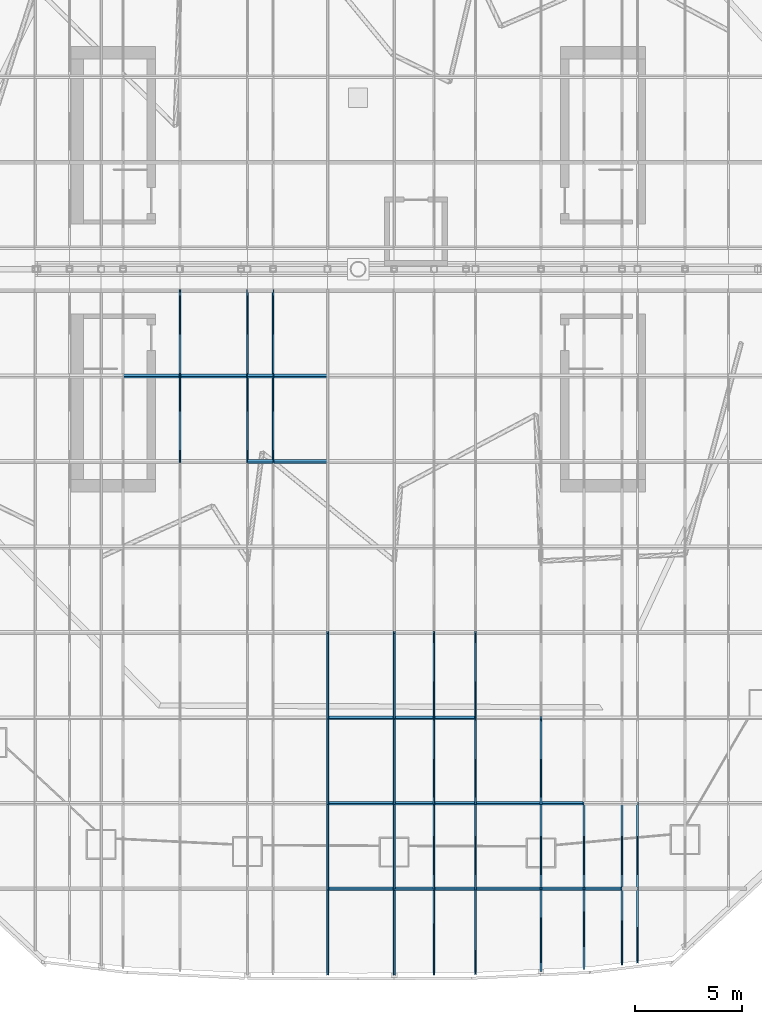
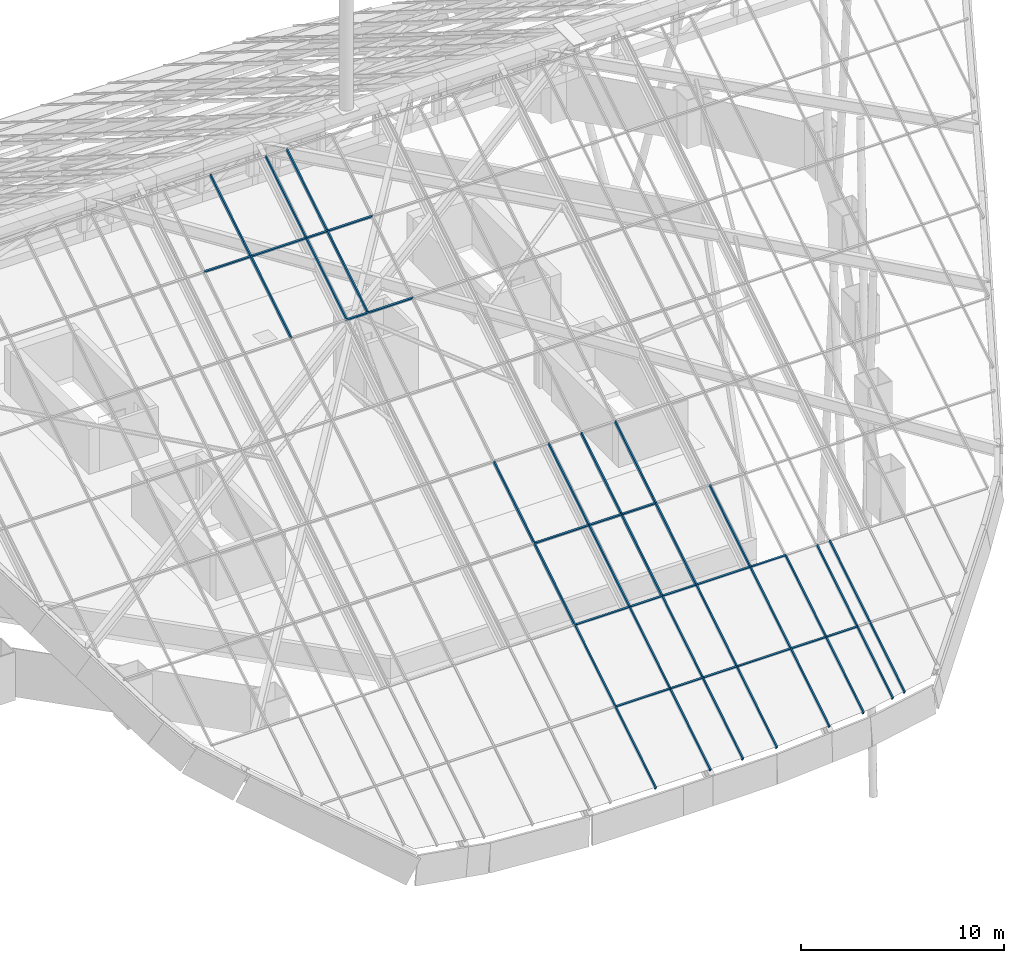
# One storey, part 5 of 38: 51 members, 34 elements without a shape of their own.
"""IFC4 building model written with IfcOpenShell, lengths in metres."""

from ifc_helpers import new_model, si_unit, direction, frame, origin, origin_2d, place, context, subcontext, project, spatial, rectangle, extrude, material, layer, layer_set, material_profile, profile_set, type_object, element, aggregate, save


model = new_model("IFC4")

# Units and contexts
model_context = context("Model", 3, precision=1e-05, world=origin(), true_north=direction((0.0, 1.0)))
body_context = subcontext(model_context, "Body", "Model", "MODEL_VIEW")
ifc_project = project(units=[si_unit("LENGTHUNIT", "METRE"), si_unit("AREAUNIT", "SQUARE_METRE"), si_unit("VOLUMEUNIT", "CUBIC_METRE"), si_unit("PLANEANGLEUNIT", "RADIAN"), si_unit("MASSUNIT", "GRAM", prefix="KILO")], contexts=[model_context])

# Site, building, storey
site_placement = place(None, origin())
site = spatial("IfcSite", under=ifc_project, at=site_placement, CompositionType="ELEMENT")
building_placement = place(site_placement, origin())
building = spatial("IfcBuilding", under=site, at=building_placement, Name="Dongbaek Canopy Tower", CompositionType="ELEMENT")
storey_placement = place(building_placement, frame((0.0, 0.0, 375.800048828125)))
storey = spatial("IfcBuildingStorey", under=building, at=storey_placement, Name="Roof", CompositionType="ELEMENT", Elevation=375.800048828125)

# Curtain wall, member
ifc_material_1 = material(Name="Aluminium 6063-T6 pale anodised", Category="aluminium")
ifc_layer = layer(ifc_material_1, 0.199951171875)
ifc_layer_set = layer_set([ifc_layer], Name="CW-6 canopy glazing curtain wall")
curtain_wall_type = type_object("IfcCurtainWallType", Name="CW-6 canopy glazing curtain wall", PredefinedType="NOTDEFINED", material=ifc_layer_set)
curtain_wall_1_placement = place(storey_placement, origin())
curtain_wall_1 = element("IfcCurtainWall", 1, at=curtain_wall_1_placement, inside=storey, type_object=curtain_wall_type, Name="CW-6 canopy glazing south 12.1", PredefinedType="NOTDEFINED")
ifc_material_2 = material(Name="Aluminium 6063-T6 pale anodised", Category="aluminium")
ifc_material_profile_1 = material_profile(ifc_material_2, rectangle(XDim=0.080078125, YDim=0.199951171875, at=origin_2d()), Name="CW-6 mullion 80 x 200")
ifc_profile_set_1 = profile_set([ifc_material_profile_1], Name="Aluminium 6063-T6 pale anodised")
member_type_1 = type_object("IfcMemberType", Name="CW-6 mullion 80 x 200", PredefinedType="MULLION", material=ifc_profile_set_1)
member_1_placement = place(storey_placement, frame((-8.30908203125, -1.0, 18.0986328125), z_axis=(0.0, -0.848068327403, -0.529886886095), x_axis=(1.0, 0.0, 0.0)))
member_1 = element("IfcMember", 2, at=member_1_placement, type_object=member_type_1, Name="CW-6 mullion S12.1.-8.3", PredefinedType="MULLION", context=body_context, shape_type="SweptSolid", body=[
    extrude(rectangle(XDim=0.080078125, YDim=0.199951171875, at=origin_2d()), origin(), (0.0, 0.0, 1.0), 4.700439453125),
])

curtain_wall_2_placement = place(storey_placement, origin())
curtain_wall_2 = element("IfcCurtainWall", 3, at=curtain_wall_2_placement, inside=storey, type_object=curtain_wall_type, Name="CW-6 canopy glazing south 12.2", PredefinedType="NOTDEFINED")
member_2_placement = place(storey_placement, frame((-8.30908203125, -4.986328125, 15.60791015625), z_axis=(0.0, -0.848030400431, -0.529947582262), x_axis=(1.0, 0.0, 0.0)))
member_2 = element("IfcMember", 4, at=member_2_placement, type_object=member_type_1, Name="CW-6 mullion S12.2.-8.3", PredefinedType="MULLION", context=body_context, shape_type="SweptSolid", body=[
    extrude(rectangle(XDim=0.080078125, YDim=0.199951171875, at=origin_2d()), origin(), (0.0, 0.0, 1.0), 4.700439453125),
])
aggregate(curtain_wall_2, [member_2])

curtain_wall_3_placement = place(storey_placement, origin())
curtain_wall_3 = element("IfcCurtainWall", 5, at=curtain_wall_3_placement, inside=storey, type_object=curtain_wall_type, Name="CW-6 canopy glazing south 13.1", PredefinedType="NOTDEFINED")
member_3_placement = place(storey_placement, frame((-5.166015625, -1.0, 18.0986328125), z_axis=(0.0, -0.848068327403, -0.529886886095), x_axis=(1.0, 0.0, 0.0)))
member_3 = element("IfcMember", 6, at=member_3_placement, type_object=member_type_1, Name="CW-6 mullion S13.1.-5.2", PredefinedType="MULLION", context=body_context, shape_type="SweptSolid", body=[
    extrude(rectangle(XDim=0.080078125, YDim=0.199951171875, at=origin_2d()), origin(), (0.0, 0.0, 1.0), 4.700439453125),
])

curtain_wall_4_placement = place(storey_placement, origin())
curtain_wall_4 = element("IfcCurtainWall", 7, at=curtain_wall_4_placement, inside=storey, type_object=curtain_wall_type, Name="CW-6 canopy glazing south 13.2", PredefinedType="NOTDEFINED")
member_4_placement = place(storey_placement, frame((-5.166015625, -4.986328125, 15.60791015625), z_axis=(0.0, -0.848030400431, -0.529947582262), x_axis=(1.0, 0.0, 0.0)))
member_4 = element("IfcMember", 8, at=member_4_placement, type_object=member_type_1, Name="CW-6 mullion S13.2.-5.2", PredefinedType="MULLION", context=body_context, shape_type="SweptSolid", body=[
    extrude(rectangle(XDim=0.080078125, YDim=0.199951171875, at=origin_2d()), origin(), (0.0, 0.0, 1.0), 4.700439453125),
])
aggregate(curtain_wall_4, [member_4])

curtain_wall_5_placement = place(storey_placement, origin())
curtain_wall_5 = element("IfcCurtainWall", 9, at=curtain_wall_5_placement, inside=storey, type_object=curtain_wall_type, Name="CW-6 canopy glazing south 14.1", PredefinedType="NOTDEFINED")
member_5_placement = place(storey_placement, frame((-3.964599609375, -1.0, 18.0986328125), z_axis=(0.0, -0.848068327403, -0.529886886095), x_axis=(1.0, 0.0, 0.0)))
member_5 = element("IfcMember", 10, at=member_5_placement, type_object=member_type_1, Name="CW-6 mullion S14.1.-4.0", PredefinedType="MULLION", context=body_context, shape_type="SweptSolid", body=[
    extrude(rectangle(XDim=0.080078125, YDim=0.199951171875, at=origin_2d()), origin(), (0.0, 0.0, 1.0), 4.700439453125),
])

curtain_wall_6_placement = place(storey_placement, origin())
curtain_wall_6 = element("IfcCurtainWall", 11, at=curtain_wall_6_placement, inside=storey, type_object=curtain_wall_type, Name="CW-6 canopy glazing south 14.2", PredefinedType="NOTDEFINED")
member_6_placement = place(storey_placement, frame((-3.964599609375, -4.986328125, 15.60791015625), z_axis=(0.0, -0.848030400431, -0.529947582262), x_axis=(1.0, 0.0, 0.0)))
member_6 = element("IfcMember", 12, at=member_6_placement, type_object=member_type_1, Name="CW-6 mullion S14.2.-4.0", PredefinedType="MULLION", context=body_context, shape_type="SweptSolid", body=[
    extrude(rectangle(XDim=0.080078125, YDim=0.199951171875, at=origin_2d()), origin(), (0.0, 0.0, 1.0), 4.700439453125),
])

curtain_wall_7_placement = place(storey_placement, origin())
curtain_wall_7 = element("IfcCurtainWall", 13, at=curtain_wall_7_placement, inside=storey, type_object=curtain_wall_type, Name="CW-6 canopy glazing south 15.5", PredefinedType="NOTDEFINED")
member_7_placement = place(storey_placement, frame((-1.41796875, -16.94482421875, 8.13525390625), z_axis=(0.0, -0.848068327403, -0.529886886095), x_axis=(1.0, 0.0, 0.0)))
member_7 = element("IfcMember", 14, at=member_7_placement, type_object=member_type_1, Name="CW-6 mullion S15.5.-1.4", PredefinedType="MULLION", context=body_context, shape_type="SweptSolid", body=[
    extrude(rectangle(XDim=0.080078125, YDim=0.199951171875, at=origin_2d()), origin(), (0.0, 0.0, 1.0), 4.700439453125),
])
aggregate(curtain_wall_7, [member_7])

curtain_wall_8_placement = place(storey_placement, origin())
curtain_wall_8 = element("IfcCurtainWall", 15, at=curtain_wall_8_placement, inside=storey, type_object=curtain_wall_type, Name="CW-6 canopy glazing south 15.6", PredefinedType="NOTDEFINED")
member_8_placement = place(storey_placement, frame((-1.41796875, -20.93115234375, 5.64453125), z_axis=(0.0, -0.848030400431, -0.529947582262), x_axis=(1.0, 0.0, 0.0)))
member_8 = element("IfcMember", 16, at=member_8_placement, type_object=member_type_1, Name="CW-6 mullion S15.6.-1.4", PredefinedType="MULLION", context=body_context, shape_type="SweptSolid", body=[
    extrude(rectangle(XDim=0.080078125, YDim=0.199951171875, at=origin_2d()), origin(), (0.0, 0.0, 1.0), 4.700439453125),
])
aggregate(curtain_wall_8, [member_8])

curtain_wall_9_placement = place(storey_placement, origin())
curtain_wall_9 = element("IfcCurtainWall", 17, at=curtain_wall_9_placement, inside=storey, type_object=curtain_wall_type, Name="CW-6 canopy glazing south 15.7", PredefinedType="NOTDEFINED")
member_9_placement = place(storey_placement, frame((-1.41796875, -24.917236328125, 3.153564453125), z_axis=(0.0, -0.848068327403, -0.529886886095), x_axis=(1.0, 0.0, 0.0)))
member_9 = element("IfcMember", 18, at=member_9_placement, type_object=member_type_1, Name="CW-6 mullion S15.7.-1.4", PredefinedType="MULLION", context=body_context, shape_type="SweptSolid", body=[
    extrude(rectangle(XDim=0.080078125, YDim=0.199951171875, at=origin_2d()), origin(), (0.0, 0.0, 1.0), 4.700439453125),
])
aggregate(curtain_wall_9, [member_9])

curtain_wall_10_placement = place(storey_placement, origin())
curtain_wall_10 = element("IfcCurtainWall", 19, at=curtain_wall_10_placement, inside=storey, type_object=curtain_wall_type, Name="CW-6 canopy glazing south 15.8", PredefinedType="NOTDEFINED")
member_10_placement = place(storey_placement, frame((-1.41796875, -28.903564453125, 0.662841796875), z_axis=(0.0, -0.848039216528, -0.529933474345), x_axis=(1.0, 0.0, 0.0)))
member_10 = element("IfcMember", 20, at=member_10_placement, type_object=member_type_1, Name="CW-6 mullion S15.8.-1.4", PredefinedType="MULLION", context=body_context, shape_type="SweptSolid", body=[
    extrude(rectangle(XDim=0.080078125, YDim=0.199951171875, at=origin_2d()), origin(), (0.0, 0.0, 1.0), 4.693115234375),
])
aggregate(curtain_wall_10, [member_10])

curtain_wall_11_placement = place(storey_placement, origin())
curtain_wall_11 = element("IfcCurtainWall", 21, at=curtain_wall_11_placement, inside=storey, type_object=curtain_wall_type, Name="CW-6 canopy glazing south 16.5", PredefinedType="NOTDEFINED")
member_11_placement = place(storey_placement, frame((1.68310546875, -16.94482421875, 8.13525390625), z_axis=(0.0, -0.848068327403, -0.529886886095), x_axis=(1.0, 0.0, 0.0)))
member_11 = element("IfcMember", 22, at=member_11_placement, type_object=member_type_1, Name="CW-6 mullion S16.5.1.7", PredefinedType="MULLION", context=body_context, shape_type="SweptSolid", body=[
    extrude(rectangle(XDim=0.080078125, YDim=0.199951171875, at=origin_2d()), origin(), (0.0, 0.0, 1.0), 4.700439453125),
])

curtain_wall_12_placement = place(storey_placement, origin())
curtain_wall_12 = element("IfcCurtainWall", 23, at=curtain_wall_12_placement, inside=storey, type_object=curtain_wall_type, Name="CW-6 canopy glazing south 16.6", PredefinedType="NOTDEFINED")
member_12_placement = place(storey_placement, frame((1.68310546875, -20.93115234375, 5.64453125), z_axis=(0.0, -0.848030400431, -0.529947582262), x_axis=(1.0, 0.0, 0.0)))
member_12 = element("IfcMember", 24, at=member_12_placement, type_object=member_type_1, Name="CW-6 mullion S16.6.1.7", PredefinedType="MULLION", context=body_context, shape_type="SweptSolid", body=[
    extrude(rectangle(XDim=0.080078125, YDim=0.199951171875, at=origin_2d()), origin(), (0.0, 0.0, 1.0), 4.700439453125),
])

curtain_wall_13_placement = place(storey_placement, origin())
curtain_wall_13 = element("IfcCurtainWall", 25, at=curtain_wall_13_placement, inside=storey, type_object=curtain_wall_type, Name="CW-6 canopy glazing south 16.7", PredefinedType="NOTDEFINED")
member_13_placement = place(storey_placement, frame((1.68310546875, -24.917236328125, 3.153564453125), z_axis=(0.0, -0.848068327403, -0.529886886095), x_axis=(1.0, 0.0, 0.0)))
member_13 = element("IfcMember", 26, at=member_13_placement, type_object=member_type_1, Name="CW-6 mullion S16.7.1.7", PredefinedType="MULLION", context=body_context, shape_type="SweptSolid", body=[
    extrude(rectangle(XDim=0.080078125, YDim=0.199951171875, at=origin_2d()), origin(), (0.0, 0.0, 1.0), 4.700439453125),
])

curtain_wall_14_placement = place(storey_placement, origin())
curtain_wall_14 = element("IfcCurtainWall", 27, at=curtain_wall_14_placement, inside=storey, type_object=curtain_wall_type, Name="CW-6 canopy glazing south 16.8", PredefinedType="NOTDEFINED")
member_14_placement = place(storey_placement, frame((1.68310546875, -28.903564453125, 0.662841796875), z_axis=(0.0, -0.848036305897, -0.529938132126), x_axis=(1.0, 0.0, 0.0)))
member_14 = element("IfcMember", 28, at=member_14_placement, type_object=member_type_1, Name="CW-6 mullion S16.8.1.7", PredefinedType="MULLION", context=body_context, shape_type="SweptSolid", body=[
    extrude(rectangle(XDim=0.080078125, YDim=0.199951171875, at=origin_2d()), origin(), (0.0, 0.0, 1.0), 4.691650390625),
])
aggregate(curtain_wall_14, [member_14])

curtain_wall_15_placement = place(storey_placement, origin())
curtain_wall_15 = element("IfcCurtainWall", 29, at=curtain_wall_15_placement, inside=storey, type_object=curtain_wall_type, Name="CW-6 canopy glazing south 17.5", PredefinedType="NOTDEFINED")
member_15_placement = place(storey_placement, frame((3.535400390625, -16.94482421875, 8.13525390625), z_axis=(0.0, -0.848068327403, -0.529886886095), x_axis=(1.0, 0.0, 0.0)))
member_15 = element("IfcMember", 30, at=member_15_placement, type_object=member_type_1, Name="CW-6 mullion S17.5.3.5", PredefinedType="MULLION", context=body_context, shape_type="SweptSolid", body=[
    extrude(rectangle(XDim=0.080078125, YDim=0.199951171875, at=origin_2d()), origin(), (0.0, 0.0, 1.0), 4.700439453125),
])

curtain_wall_16_placement = place(storey_placement, origin())
curtain_wall_16 = element("IfcCurtainWall", 31, at=curtain_wall_16_placement, inside=storey, type_object=curtain_wall_type, Name="CW-6 canopy glazing south 17.6", PredefinedType="NOTDEFINED")
member_16_placement = place(storey_placement, frame((3.535400390625, -20.93115234375, 5.64453125), z_axis=(0.0, -0.848030400431, -0.529947582262), x_axis=(1.0, 0.0, 0.0)))
member_16 = element("IfcMember", 32, at=member_16_placement, type_object=member_type_1, Name="CW-6 mullion S17.6.3.5", PredefinedType="MULLION", context=body_context, shape_type="SweptSolid", body=[
    extrude(rectangle(XDim=0.080078125, YDim=0.199951171875, at=origin_2d()), origin(), (0.0, 0.0, 1.0), 4.700439453125),
])

curtain_wall_17_placement = place(storey_placement, origin())
curtain_wall_17 = element("IfcCurtainWall", 33, at=curtain_wall_17_placement, inside=storey, type_object=curtain_wall_type, Name="CW-6 canopy glazing south 17.7", PredefinedType="NOTDEFINED")
member_17_placement = place(storey_placement, frame((3.535400390625, -24.917236328125, 3.153564453125), z_axis=(0.0, -0.848068327403, -0.529886886095), x_axis=(1.0, 0.0, 0.0)))
member_17 = element("IfcMember", 34, at=member_17_placement, type_object=member_type_1, Name="CW-6 mullion S17.7.3.5", PredefinedType="MULLION", context=body_context, shape_type="SweptSolid", body=[
    extrude(rectangle(XDim=0.080078125, YDim=0.199951171875, at=origin_2d()), origin(), (0.0, 0.0, 1.0), 4.700439453125),
])

curtain_wall_18_placement = place(storey_placement, origin())
curtain_wall_18 = element("IfcCurtainWall", 35, at=curtain_wall_18_placement, inside=storey, type_object=curtain_wall_type, Name="CW-6 canopy glazing south 17.8", PredefinedType="NOTDEFINED")
member_18_placement = place(storey_placement, frame((3.535400390625, -28.903564453125, 0.662841796875), z_axis=(0.0, -0.848045170327, -0.52992394651), x_axis=(1.0, 0.0, 0.0)))
member_18 = element("IfcMember", 36, at=member_18_placement, type_object=member_type_1, Name="CW-6 mullion S17.8.3.5", PredefinedType="MULLION", context=body_context, shape_type="SweptSolid", body=[
    extrude(rectangle(XDim=0.080078125, YDim=0.199951171875, at=origin_2d()), origin(), (0.0, 0.0, 1.0), 4.68212890625),
])
aggregate(curtain_wall_18, [member_18])

curtain_wall_19_placement = place(storey_placement, origin())
curtain_wall_19 = element("IfcCurtainWall", 37, at=curtain_wall_19_placement, inside=storey, type_object=curtain_wall_type, Name="CW-6 canopy glazing south 18.5", PredefinedType="NOTDEFINED")
member_19_placement = place(storey_placement, frame((5.470947265625, -16.94482421875, 8.13525390625), z_axis=(0.0, -0.848068327403, -0.529886886095), x_axis=(1.0, 0.0, 0.0)))
member_19 = element("IfcMember", 38, at=member_19_placement, type_object=member_type_1, Name="CW-6 mullion S18.5.5.5", PredefinedType="MULLION", context=body_context, shape_type="SweptSolid", body=[
    extrude(rectangle(XDim=0.080078125, YDim=0.199951171875, at=origin_2d()), origin(), (0.0, 0.0, 1.0), 4.700439453125),
])

curtain_wall_20_placement = place(storey_placement, origin())
curtain_wall_20 = element("IfcCurtainWall", 39, at=curtain_wall_20_placement, inside=storey, type_object=curtain_wall_type, Name="CW-6 canopy glazing south 18.6", PredefinedType="NOTDEFINED")
member_20_placement = place(storey_placement, frame((5.470947265625, -20.93115234375, 5.64453125), z_axis=(0.0, -0.848030400431, -0.529947582262), x_axis=(1.0, 0.0, 0.0)))
member_20 = element("IfcMember", 40, at=member_20_placement, type_object=member_type_1, Name="CW-6 mullion S18.6.5.5", PredefinedType="MULLION", context=body_context, shape_type="SweptSolid", body=[
    extrude(rectangle(XDim=0.080078125, YDim=0.199951171875, at=origin_2d()), origin(), (0.0, 0.0, 1.0), 4.700439453125),
])

curtain_wall_21_placement = place(storey_placement, origin())
curtain_wall_21 = element("IfcCurtainWall", 41, at=curtain_wall_21_placement, inside=storey, type_object=curtain_wall_type, Name="CW-6 canopy glazing south 18.7", PredefinedType="NOTDEFINED")
member_21_placement = place(storey_placement, frame((5.470947265625, -24.917236328125, 3.153564453125), z_axis=(0.0, -0.848068327403, -0.529886886095), x_axis=(1.0, 0.0, 0.0)))
member_21 = element("IfcMember", 42, at=member_21_placement, type_object=member_type_1, Name="CW-6 mullion S18.7.5.5", PredefinedType="MULLION", context=body_context, shape_type="SweptSolid", body=[
    extrude(rectangle(XDim=0.080078125, YDim=0.199951171875, at=origin_2d()), origin(), (0.0, 0.0, 1.0), 4.700439453125),
])

curtain_wall_22_placement = place(storey_placement, origin())
curtain_wall_22 = element("IfcCurtainWall", 43, at=curtain_wall_22_placement, inside=storey, type_object=curtain_wall_type, Name="CW-6 canopy glazing south 18.8", PredefinedType="NOTDEFINED")
member_22_placement = place(storey_placement, frame((5.470947265625, -28.903564453125, 0.662841796875), z_axis=(0.0, -0.848036531076, -0.529937771781), x_axis=(1.0, 0.0, 0.0)))
member_22 = element("IfcMember", 44, at=member_22_placement, type_object=member_type_1, Name="CW-6 mullion S18.8.5.5", PredefinedType="MULLION", context=body_context, shape_type="SweptSolid", body=[
    extrude(rectangle(XDim=0.080078125, YDim=0.199951171875, at=origin_2d()), origin(), (0.0, 0.0, 1.0), 4.6640625),
])
aggregate(curtain_wall_22, [member_22])

curtain_wall_23_placement = place(storey_placement, origin())
curtain_wall_23 = element("IfcCurtainWall", 45, at=curtain_wall_23_placement, inside=storey, type_object=curtain_wall_type, Name="CW-6 canopy glazing south 19.6", PredefinedType="NOTDEFINED")
member_23_placement = place(storey_placement, frame((8.533935546875, -20.93115234375, 5.64453125), z_axis=(0.0, -0.848030400431, -0.529947582262), x_axis=(1.0, 0.0, 0.0)))
member_23 = element("IfcMember", 46, at=member_23_placement, type_object=member_type_1, Name="CW-6 mullion S19.6.8.5", PredefinedType="MULLION", context=body_context, shape_type="SweptSolid", body=[
    extrude(rectangle(XDim=0.080078125, YDim=0.199951171875, at=origin_2d()), origin(), (0.0, 0.0, 1.0), 4.700439453125),
])

curtain_wall_24_placement = place(storey_placement, origin())
curtain_wall_24 = element("IfcCurtainWall", 47, at=curtain_wall_24_placement, inside=storey, type_object=curtain_wall_type, Name="CW-6 canopy glazing south 19.7", PredefinedType="NOTDEFINED")
member_24_placement = place(storey_placement, frame((8.533935546875, -24.917236328125, 3.153564453125), z_axis=(0.0, -0.848068327403, -0.529886886095), x_axis=(1.0, 0.0, 0.0)))
member_24 = element("IfcMember", 48, at=member_24_placement, type_object=member_type_1, Name="CW-6 mullion S19.7.8.5", PredefinedType="MULLION", context=body_context, shape_type="SweptSolid", body=[
    extrude(rectangle(XDim=0.080078125, YDim=0.199951171875, at=origin_2d()), origin(), (0.0, 0.0, 1.0), 4.700439453125),
])

curtain_wall_25_placement = place(storey_placement, origin())
curtain_wall_25 = element("IfcCurtainWall", 49, at=curtain_wall_25_placement, inside=storey, type_object=curtain_wall_type, Name="CW-6 canopy glazing south 19.8", PredefinedType="NOTDEFINED")
member_25_placement = place(storey_placement, frame((8.533935546875, -28.903564453125, 0.662841796875), z_axis=(0.0, -0.848031932836, -0.529945130075), x_axis=(1.0, 0.0, 0.0)))
member_25 = element("IfcMember", 50, at=member_25_placement, type_object=member_type_1, Name="CW-6 mullion S19.8.8.5", PredefinedType="MULLION", context=body_context, shape_type="SweptSolid", body=[
    extrude(rectangle(XDim=0.080078125, YDim=0.199951171875, at=origin_2d()), origin(), (0.0, 0.0, 1.0), 4.486083984375),
])
aggregate(curtain_wall_25, [member_25])

curtain_wall_26_placement = place(storey_placement, origin())
curtain_wall_26 = element("IfcCurtainWall", 51, at=curtain_wall_26_placement, inside=storey, type_object=curtain_wall_type, Name="CW-6 canopy glazing south 20.7", PredefinedType="NOTDEFINED")
member_26_placement = place(storey_placement, frame((10.535400390625, -24.917236328125, 3.153564453125), z_axis=(0.0, -0.848068327403, -0.529886886095), x_axis=(1.0, 0.0, 0.0)))
member_26 = element("IfcMember", 52, at=member_26_placement, type_object=member_type_1, Name="CW-6 mullion S20.7.10.5", PredefinedType="MULLION", context=body_context, shape_type="SweptSolid", body=[
    extrude(rectangle(XDim=0.080078125, YDim=0.199951171875, at=origin_2d()), origin(), (0.0, 0.0, 1.0), 4.700439453125),
])

curtain_wall_27_placement = place(storey_placement, origin())
curtain_wall_27 = element("IfcCurtainWall", 53, at=curtain_wall_27_placement, inside=storey, type_object=curtain_wall_type, Name="CW-6 canopy glazing south 20.8", PredefinedType="NOTDEFINED")
member_27_placement = place(storey_placement, frame((10.535400390625, -28.903564453125, 0.662841796875), z_axis=(0.0, -0.848020273836, -0.529963786653), x_axis=(1.0, 0.0, 0.0)))
member_27 = element("IfcMember", 54, at=member_27_placement, type_object=member_type_1, Name="CW-6 mullion S20.8.10.5", PredefinedType="MULLION", context=body_context, shape_type="SweptSolid", body=[
    extrude(rectangle(XDim=0.080078125, YDim=0.199951171875, at=origin_2d()), origin(), (0.0, 0.0, 1.0), 4.369873046875),
])
aggregate(curtain_wall_27, [member_27])

curtain_wall_28_placement = place(storey_placement, origin())
curtain_wall_28 = element("IfcCurtainWall", 55, at=curtain_wall_28_placement, inside=storey, type_object=curtain_wall_type, Name="CW-6 canopy glazing south 21.7", PredefinedType="NOTDEFINED")
member_28_placement = place(storey_placement, frame((12.31396484375, -24.917236328125, 3.153564453125), z_axis=(0.0, -0.848068327403, -0.529886886095), x_axis=(1.0, 0.0, 0.0)))
member_28 = element("IfcMember", 56, at=member_28_placement, type_object=member_type_1, Name="CW-6 mullion S21.7.12.3", PredefinedType="MULLION", context=body_context, shape_type="SweptSolid", body=[
    extrude(rectangle(XDim=0.080078125, YDim=0.199951171875, at=origin_2d()), origin(), (0.0, 0.0, 1.0), 4.700439453125),
])

curtain_wall_29_placement = place(storey_placement, origin())
curtain_wall_29 = element("IfcCurtainWall", 57, at=curtain_wall_29_placement, inside=storey, type_object=curtain_wall_type, Name="CW-6 canopy glazing south 21.8", PredefinedType="NOTDEFINED")
member_29_placement = place(storey_placement, frame((12.31396484375, -28.903564453125, 0.662841796875), z_axis=(0.0, -0.84802153493, -0.529961768711), x_axis=(1.0, 0.0, 0.0)))
member_29 = element("IfcMember", 58, at=member_29_placement, type_object=member_type_1, Name="CW-6 mullion S21.8.12.3", PredefinedType="MULLION", context=body_context, shape_type="SweptSolid", body=[
    extrude(rectangle(XDim=0.080078125, YDim=0.199951171875, at=origin_2d()), origin(), (0.0, 0.0, 1.0), 4.1328125),
])
aggregate(curtain_wall_29, [member_29])

curtain_wall_30_placement = place(storey_placement, origin())
curtain_wall_30 = element("IfcCurtainWall", 59, at=curtain_wall_30_placement, inside=storey, type_object=curtain_wall_type, Name="CW-6 canopy glazing south 22.7", PredefinedType="NOTDEFINED")
member_30_placement = place(storey_placement, frame((13.035400390625, -24.917236328125, 3.153564453125), z_axis=(0.0, -0.848068327403, -0.529886886095), x_axis=(1.0, 0.0, 0.0)))
member_30 = element("IfcMember", 60, at=member_30_placement, type_object=member_type_1, Name="CW-6 mullion S22.7.13.0", PredefinedType="MULLION", context=body_context, shape_type="SweptSolid", body=[
    extrude(rectangle(XDim=0.080078125, YDim=0.199951171875, at=origin_2d()), origin(), (0.0, 0.0, 1.0), 4.700439453125),
])
aggregate(curtain_wall_30, [member_30])

curtain_wall_31_placement = place(storey_placement, origin())
curtain_wall_31 = element("IfcCurtainWall", 61, at=curtain_wall_31_placement, inside=storey, type_object=curtain_wall_type, Name="CW-6 canopy glazing south 22.8", PredefinedType="NOTDEFINED")
member_31_placement = place(storey_placement, frame((13.035400390625, -28.903564453125, 0.662841796875), z_axis=(0.0, -0.848049393821, -0.529917187531), x_axis=(1.0, 0.0, 0.0)))
member_31 = element("IfcMember", 62, at=member_31_placement, type_object=member_type_1, Name="CW-6 mullion S22.8.13.0", PredefinedType="MULLION", context=body_context, shape_type="SweptSolid", body=[
    extrude(rectangle(XDim=0.080078125, YDim=0.199951171875, at=origin_2d()), origin(), (0.0, 0.0, 1.0), 4.026611328125),
])
aggregate(curtain_wall_31, [member_31])

# Member
ifc_material_3 = material(Name="Aluminium 6063-T6 pale anodised", Category="aluminium")
ifc_material_profile_2 = material_profile(ifc_material_3, rectangle(XDim=0.080078125, YDim=0.199951171875, at=origin_2d()), Name="CW-6 transom 80 x 200")
ifc_profile_set_2 = profile_set([ifc_material_profile_2], Name="Aluminium 6063-T6 pale anodised")
member_type_2 = type_object("IfcMemberType", Name="CW-6 transom 80 x 200", PredefinedType="USERDEFINED", material=ifc_profile_set_2)
member_32_placement = place(storey_placement, frame((-10.964599609375, -4.986328125, 15.60791015625), z_axis=(1.0, 0.0, 0.0), x_axis=(0.0, 0.848048096156, 0.529919264233)))
member_32 = element("IfcMember", 63, at=member_32_placement, type_object=member_type_2, Name="CW-6 transom S12.1.2", ObjectType="TRANSOM", PredefinedType="USERDEFINED", context=body_context, shape_type="SweptSolid", body=[
    extrude(rectangle(XDim=0.080078125, YDim=0.199951171875, at=origin_2d()), origin(), (0.0, 0.0, 1.0), 2.655517578125),
])

aggregate(curtain_wall_1, [member_1, member_32])

member_33_placement = place(storey_placement, frame((-8.30908203125, -4.986328125, 15.60791015625), z_axis=(1.0, 0.0, 0.0), x_axis=(0.0, 0.848048096156, 0.529919264233)))
member_33 = element("IfcMember", 64, at=member_33_placement, type_object=member_type_2, Name="CW-6 transom S13.1.2", ObjectType="TRANSOM", PredefinedType="USERDEFINED", context=body_context, shape_type="SweptSolid", body=[
    extrude(rectangle(XDim=0.080078125, YDim=0.199951171875, at=origin_2d()), origin(), (0.0, 0.0, 1.0), 3.14306640625),
])

aggregate(curtain_wall_3, [member_3, member_33])

member_34_placement = place(storey_placement, frame((-5.166015625, -4.986328125, 15.60791015625), z_axis=(1.0, 0.0, 0.0), x_axis=(0.0, 0.848048096156, 0.529919264233)))
member_34 = element("IfcMember", 65, at=member_34_placement, type_object=member_type_2, Name="CW-6 transom S14.1.2", ObjectType="TRANSOM", PredefinedType="USERDEFINED", context=body_context, shape_type="SweptSolid", body=[
    extrude(rectangle(XDim=0.080078125, YDim=0.199951171875, at=origin_2d()), origin(), (0.0, 0.0, 1.0), 1.201416015625),
])

aggregate(curtain_wall_5, [member_5, member_34])

member_35_placement = place(storey_placement, frame((-5.166015625, -8.972412109375, 13.116943359375), z_axis=(1.0, 0.0, 0.0), x_axis=(0.0, 0.848048096156, 0.529919264233)))
member_35 = element("IfcMember", 66, at=member_35_placement, type_object=member_type_2, Name="CW-6 transom S14.2.3", ObjectType="TRANSOM", PredefinedType="USERDEFINED", context=body_context, shape_type="SweptSolid", body=[
    extrude(rectangle(XDim=0.080078125, YDim=0.199951171875, at=origin_2d()), origin(), (0.0, 0.0, 1.0), 1.201416015625),
])

aggregate(curtain_wall_6, [member_6, member_35])

# Curtain wall, member
curtain_wall_32_placement = place(storey_placement, origin())
curtain_wall_32 = element("IfcCurtainWall", 67, at=curtain_wall_32_placement, inside=storey, type_object=curtain_wall_type, Name="CW-6 canopy glazing south 15.1", PredefinedType="NOTDEFINED")
member_36_placement = place(storey_placement, frame((-3.964599609375, -4.986328125, 15.60791015625), z_axis=(1.0, 0.0, 0.0), x_axis=(0.0, 0.848048096156, 0.529919264233)))
member_36 = element("IfcMember", 68, at=member_36_placement, type_object=member_type_2, Name="CW-6 transom S15.1.2", ObjectType="TRANSOM", PredefinedType="USERDEFINED", context=body_context, shape_type="SweptSolid", body=[
    extrude(rectangle(XDim=0.080078125, YDim=0.199951171875, at=origin_2d()), origin(), (0.0, 0.0, 1.0), 2.546630859375),
])
aggregate(curtain_wall_32, [member_36])

curtain_wall_33_placement = place(storey_placement, origin())
curtain_wall_33 = element("IfcCurtainWall", 69, at=curtain_wall_33_placement, inside=storey, type_object=curtain_wall_type, Name="CW-6 canopy glazing south 15.2", PredefinedType="NOTDEFINED")
member_37_placement = place(storey_placement, frame((-3.964599609375, -8.972412109375, 13.116943359375), z_axis=(1.0, 0.0, 0.0), x_axis=(0.0, 0.848048096156, 0.529919264233)))
member_37 = element("IfcMember", 70, at=member_37_placement, type_object=member_type_2, Name="CW-6 transom S15.2.3", ObjectType="TRANSOM", PredefinedType="USERDEFINED", context=body_context, shape_type="SweptSolid", body=[
    extrude(rectangle(XDim=0.080078125, YDim=0.199951171875, at=origin_2d()), origin(), (0.0, 0.0, 1.0), 2.546630859375),
])
aggregate(curtain_wall_33, [member_37])

# Member
member_38_placement = place(storey_placement, frame((-1.41796875, -20.93115234375, 5.64453125), z_axis=(1.0, 0.0, 0.0), x_axis=(0.0, 0.848048096156, 0.529919264233)))
member_38 = element("IfcMember", 71, at=member_38_placement, type_object=member_type_2, Name="CW-6 transom S16.5.6", ObjectType="TRANSOM", PredefinedType="USERDEFINED", context=body_context, shape_type="SweptSolid", body=[
    extrude(rectangle(XDim=0.080078125, YDim=0.199951171875, at=origin_2d()), origin(), (0.0, 0.0, 1.0), 3.10107421875),
])

aggregate(curtain_wall_11, [member_11, member_38])

member_39_placement = place(storey_placement, frame((-1.41796875, -24.917236328125, 3.153564453125), z_axis=(1.0, 0.0, 0.0), x_axis=(0.0, 0.848048096156, 0.529919264233)))
member_39 = element("IfcMember", 72, at=member_39_placement, type_object=member_type_2, Name="CW-6 transom S16.6.7", ObjectType="TRANSOM", PredefinedType="USERDEFINED", context=body_context, shape_type="SweptSolid", body=[
    extrude(rectangle(XDim=0.080078125, YDim=0.199951171875, at=origin_2d()), origin(), (0.0, 0.0, 1.0), 3.10107421875),
])

aggregate(curtain_wall_12, [member_12, member_39])

member_40_placement = place(storey_placement, frame((-1.41796875, -28.903564453125, 0.662841796875), z_axis=(1.0, 0.0, 0.0), x_axis=(0.0, 0.848048096156, 0.529919264233)))
member_40 = element("IfcMember", 73, at=member_40_placement, type_object=member_type_2, Name="CW-6 transom S16.7.8", ObjectType="TRANSOM", PredefinedType="USERDEFINED", context=body_context, shape_type="SweptSolid", body=[
    extrude(rectangle(XDim=0.080078125, YDim=0.199951171875, at=origin_2d()), origin(), (0.0, 0.0, 1.0), 3.10107421875),
])

aggregate(curtain_wall_13, [member_13, member_40])

member_41_placement = place(storey_placement, frame((1.68310546875, -20.93115234375, 5.64453125), z_axis=(1.0, 0.0, 0.0), x_axis=(0.0, 0.848048096156, 0.529919264233)))
member_41 = element("IfcMember", 74, at=member_41_placement, type_object=member_type_2, Name="CW-6 transom S17.5.6", ObjectType="TRANSOM", PredefinedType="USERDEFINED", context=body_context, shape_type="SweptSolid", body=[
    extrude(rectangle(XDim=0.080078125, YDim=0.199951171875, at=origin_2d()), origin(), (0.0, 0.0, 1.0), 1.852294921875),
])

aggregate(curtain_wall_15, [member_15, member_41])

member_42_placement = place(storey_placement, frame((1.68310546875, -24.917236328125, 3.153564453125), z_axis=(1.0, 0.0, 0.0), x_axis=(0.0, 0.848048096156, 0.529919264233)))
member_42 = element("IfcMember", 75, at=member_42_placement, type_object=member_type_2, Name="CW-6 transom S17.6.7", ObjectType="TRANSOM", PredefinedType="USERDEFINED", context=body_context, shape_type="SweptSolid", body=[
    extrude(rectangle(XDim=0.080078125, YDim=0.199951171875, at=origin_2d()), origin(), (0.0, 0.0, 1.0), 1.852294921875),
])

aggregate(curtain_wall_16, [member_16, member_42])

member_43_placement = place(storey_placement, frame((1.68310546875, -28.903564453125, 0.662841796875), z_axis=(1.0, 0.0, 0.0), x_axis=(0.0, 0.848048096156, 0.529919264233)))
member_43 = element("IfcMember", 76, at=member_43_placement, type_object=member_type_2, Name="CW-6 transom S17.7.8", ObjectType="TRANSOM", PredefinedType="USERDEFINED", context=body_context, shape_type="SweptSolid", body=[
    extrude(rectangle(XDim=0.080078125, YDim=0.199951171875, at=origin_2d()), origin(), (0.0, 0.0, 1.0), 1.852294921875),
])

aggregate(curtain_wall_17, [member_17, member_43])

member_44_placement = place(storey_placement, frame((3.535400390625, -20.93115234375, 5.64453125), z_axis=(1.0, 0.0, 0.0), x_axis=(0.0, 0.848048096156, 0.529919264233)))
member_44 = element("IfcMember", 77, at=member_44_placement, type_object=member_type_2, Name="CW-6 transom S18.5.6", ObjectType="TRANSOM", PredefinedType="USERDEFINED", context=body_context, shape_type="SweptSolid", body=[
    extrude(rectangle(XDim=0.080078125, YDim=0.199951171875, at=origin_2d()), origin(), (0.0, 0.0, 1.0), 1.935546875),
])

aggregate(curtain_wall_19, [member_19, member_44])

member_45_placement = place(storey_placement, frame((3.535400390625, -24.917236328125, 3.153564453125), z_axis=(1.0, 0.0, 0.0), x_axis=(0.0, 0.848048096156, 0.529919264233)))
member_45 = element("IfcMember", 78, at=member_45_placement, type_object=member_type_2, Name="CW-6 transom S18.6.7", ObjectType="TRANSOM", PredefinedType="USERDEFINED", context=body_context, shape_type="SweptSolid", body=[
    extrude(rectangle(XDim=0.080078125, YDim=0.199951171875, at=origin_2d()), origin(), (0.0, 0.0, 1.0), 1.935546875),
])

aggregate(curtain_wall_20, [member_20, member_45])

member_46_placement = place(storey_placement, frame((3.535400390625, -28.903564453125, 0.662841796875), z_axis=(1.0, 0.0, 0.0), x_axis=(0.0, 0.848048096156, 0.529919264233)))
member_46 = element("IfcMember", 79, at=member_46_placement, type_object=member_type_2, Name="CW-6 transom S18.7.8", ObjectType="TRANSOM", PredefinedType="USERDEFINED", context=body_context, shape_type="SweptSolid", body=[
    extrude(rectangle(XDim=0.080078125, YDim=0.199951171875, at=origin_2d()), origin(), (0.0, 0.0, 1.0), 1.935546875),
])

aggregate(curtain_wall_21, [member_21, member_46])

member_47_placement = place(storey_placement, frame((5.470947265625, -24.917236328125, 3.153564453125), z_axis=(1.0, 0.0, 0.0), x_axis=(0.0, 0.848048096156, 0.529919264233)))
member_47 = element("IfcMember", 80, at=member_47_placement, type_object=member_type_2, Name="CW-6 transom S19.6.7", ObjectType="TRANSOM", PredefinedType="USERDEFINED", context=body_context, shape_type="SweptSolid", body=[
    extrude(rectangle(XDim=0.080078125, YDim=0.199951171875, at=origin_2d()), origin(), (0.0, 0.0, 1.0), 3.06298828125),
])

aggregate(curtain_wall_23, [member_23, member_47])

member_48_placement = place(storey_placement, frame((5.470947265625, -28.903564453125, 0.662841796875), z_axis=(1.0, 0.0, 0.0), x_axis=(0.0, 0.848048096156, 0.529919264233)))
member_48 = element("IfcMember", 81, at=member_48_placement, type_object=member_type_2, Name="CW-6 transom S19.7.8", ObjectType="TRANSOM", PredefinedType="USERDEFINED", context=body_context, shape_type="SweptSolid", body=[
    extrude(rectangle(XDim=0.080078125, YDim=0.199951171875, at=origin_2d()), origin(), (0.0, 0.0, 1.0), 3.06298828125),
])

aggregate(curtain_wall_24, [member_24, member_48])

# Curtain wall, member
curtain_wall_34_placement = place(storey_placement, origin())
curtain_wall_34 = element("IfcCurtainWall", 82, at=curtain_wall_34_placement, inside=storey, type_object=curtain_wall_type, Name="CW-6 canopy glazing south 20.6", PredefinedType="NOTDEFINED")
member_49_placement = place(storey_placement, frame((8.533935546875, -24.917236328125, 3.153564453125), z_axis=(1.0, 0.0, 0.0), x_axis=(0.0, 0.848048096156, 0.529919264233)))
member_49 = element("IfcMember", 83, at=member_49_placement, type_object=member_type_2, Name="CW-6 transom S20.6.7", ObjectType="TRANSOM", PredefinedType="USERDEFINED", context=body_context, shape_type="SweptSolid", body=[
    extrude(rectangle(XDim=0.080078125, YDim=0.199951171875, at=origin_2d()), origin(), (0.0, 0.0, 1.0), 2.00146484375),
])
aggregate(curtain_wall_34, [member_49])

# Member
member_50_placement = place(storey_placement, frame((8.533935546875, -28.903564453125, 0.662841796875), z_axis=(1.0, 0.0, 0.0), x_axis=(0.0, 0.848048096156, 0.529919264233)))
member_50 = element("IfcMember", 84, at=member_50_placement, type_object=member_type_2, Name="CW-6 transom S20.7.8", ObjectType="TRANSOM", PredefinedType="USERDEFINED", context=body_context, shape_type="SweptSolid", body=[
    extrude(rectangle(XDim=0.080078125, YDim=0.199951171875, at=origin_2d()), origin(), (0.0, 0.0, 1.0), 2.00146484375),
])

aggregate(curtain_wall_26, [member_26, member_50])

member_51_placement = place(storey_placement, frame((10.535400390625, -28.903564453125, 0.662841796875), z_axis=(1.0, 0.0, 0.0), x_axis=(0.0, 0.848048096156, 0.529919264233)))
member_51 = element("IfcMember", 85, at=member_51_placement, type_object=member_type_2, Name="CW-6 transom S21.7.8", ObjectType="TRANSOM", PredefinedType="USERDEFINED", context=body_context, shape_type="SweptSolid", body=[
    extrude(rectangle(XDim=0.080078125, YDim=0.199951171875, at=origin_2d()), origin(), (0.0, 0.0, 1.0), 1.778564453125),
])

aggregate(curtain_wall_28, [member_28, member_51])

save(model, "model.ifc")
